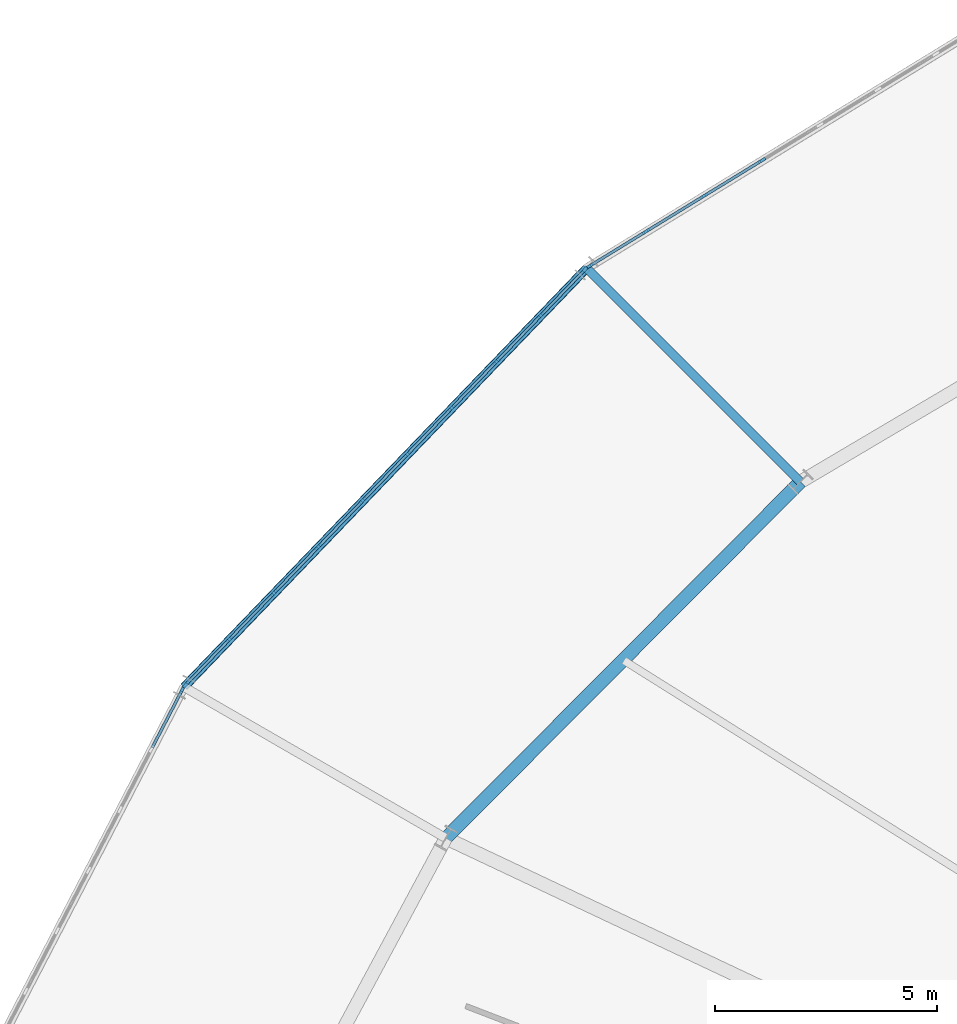
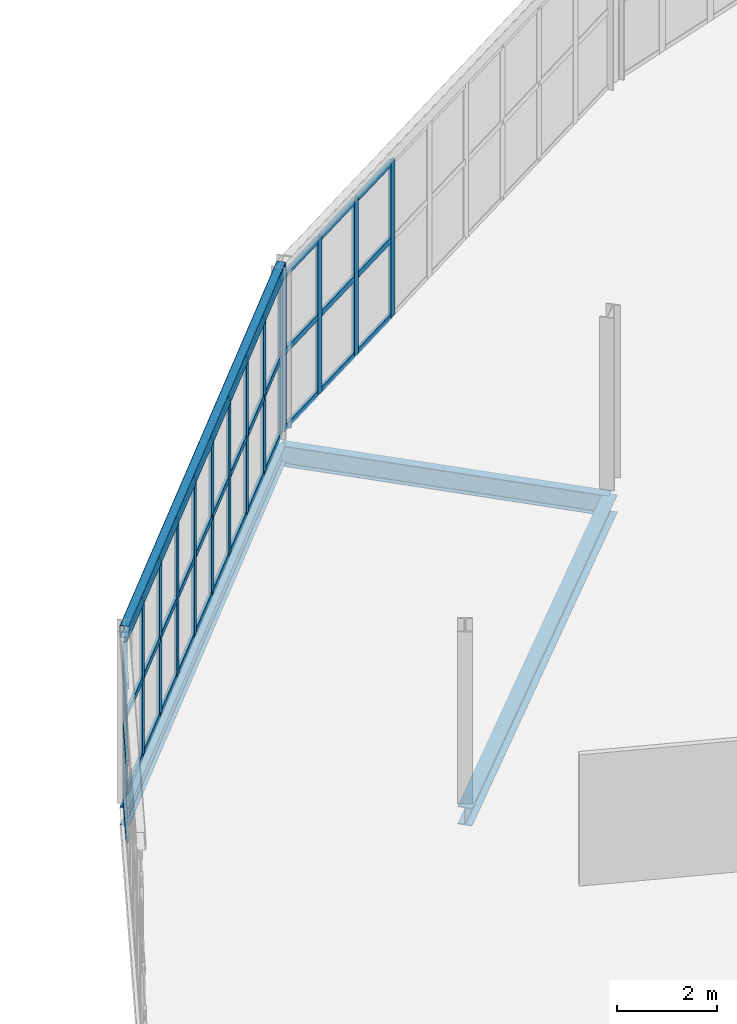
# One storey, part 59 of 161: 54 members, 4 beams, 3 elements without a shape of their own.
"""IFC4 building model written with IfcOpenShell, lengths in metres."""

from ifc_helpers import new_model, si_unit, direction, frame, origin, origin_2d, place, context, subcontext, project, spatial, rectangle, hollow_rectangle, i_section, extrude, material, material_profile, profile_set, type_object, element, aggregate, save


model = new_model("IFC4")

# Units and contexts
model_context = context("Model", 3, precision=1e-05, world=origin(), true_north=direction((0.0, 1.0)))
body_context = subcontext(model_context, "Body", "Model", "MODEL_VIEW")
ifc_project = project(units=[si_unit("LENGTHUNIT", "METRE"), si_unit("AREAUNIT", "SQUARE_METRE"), si_unit("VOLUMEUNIT", "CUBIC_METRE"), si_unit("PLANEANGLEUNIT", "RADIAN"), si_unit("MASSUNIT", "GRAM", prefix="KILO")], contexts=[model_context])

# Site, building, storey
site_placement = place(None, origin())
site = spatial("IfcSite", under=ifc_project, at=site_placement, CompositionType="ELEMENT")
building_placement = place(site_placement, origin())
building = spatial("IfcBuilding", under=site, at=building_placement, Name="Kildeholm Park Wholesale Market", CompositionType="ELEMENT")
storey_placement = place(building_placement, frame((0.0, 0.0, 5.39990234375)))
storey = spatial("IfcBuildingStorey", under=building, at=storey_placement, Name="L01", CompositionType="ELEMENT", Elevation=5.39990234375)

# Beams
ifc_material_1 = material(Name="Steel S355", Category="steel")
ifc_material_profile_1 = material_profile(ifc_material_1, i_section(OverallWidth=0.18994140625, OverallDepth=0.449951171875, WebThickness=0.009521484375, FlangeThickness=0.0146484375, FilletRadius=0.02099609375, at=origin_2d()), Name="IPE 450")
ifc_profile_set_1 = profile_set([ifc_material_profile_1], Name="Steel S355")
beam_type_1 = type_object("IfcBeamType", Name="Beam B-P02 IPE 450", PredefinedType="BEAM", material=ifc_profile_set_1)
beam_1_placement = place(storey_placement, frame((58.695068359375, 121.673095703125, -0.474853515625), z_axis=(-0.693006803532, -0.720931044039, 0.0), x_axis=(0.720931044039, -0.693006803532, 0.0)))
element("IfcBeam", 1, at=beam_1_placement, inside=storey, type_object=beam_type_1, Name="Beam BM-V1-L01-CO-09 BM-0086", PredefinedType="BEAM", context=body_context, shape_type="SweptSolid", body=[
    extrude(i_section(OverallWidth=0.18994140625, OverallDepth=0.449951171875, WebThickness=0.009521484375, FlangeThickness=0.0146484375, FilletRadius=0.02099609375, at=origin_2d()), origin(), (0.0, 0.0, 1.0), 13.07080078125),
])
ifc_material_profile_2 = material_profile(ifc_material_1, i_section(OverallWidth=0.199951171875, OverallDepth=0.5, WebThickness=0.01025390625, FlangeThickness=0.01611328125, FilletRadius=0.02099609375, at=origin_2d()), Name="IPE 500")
ifc_profile_set_2 = profile_set([ifc_material_profile_2], Name="Steel S355")
beam_type_2 = type_object("IfcBeamType", Name="Beam B-P03 IPE 500", PredefinedType="BEAM", material=ifc_profile_set_2)
beam_2_placement = place(storey_placement, frame((63.5029296875, 116.864990234375, -0.5), z_axis=(-0.707088828163, 0.707124733755, 0.0), x_axis=(-0.707124733755, -0.707088828163, 0.0)))
element("IfcBeam", 2, at=beam_2_placement, inside=storey, type_object=beam_type_2, Name="Beam BM-V1-L01-R2-09 BM-0083", PredefinedType="BEAM", context=body_context, shape_type="SweptSolid", body=[
    extrude(i_section(OverallWidth=0.199951171875, OverallDepth=0.5, WebThickness=0.01025390625, FlangeThickness=0.01611328125, FilletRadius=0.02099609375, at=origin_2d()), origin(), (0.0, 0.0, 1.0), 6.799560546875),
])
ifc_material_profile_3 = material_profile(ifc_material_1, i_section(OverallWidth=0.300048828125, OverallDepth=0.43994140625, WebThickness=0.011474609375, FlangeThickness=0.02099609375, FilletRadius=0.027099609375, at=origin_2d()), Name="HEA 450")
ifc_profile_set_3 = profile_set([ifc_material_profile_3], Name="Steel S355")
beam_type_3 = type_object("IfcBeamType", Name="Beam B-R02 HEA 450", PredefinedType="BEAM", material=ifc_profile_set_3)
beam_3_placement = place(storey_placement, frame((63.5029296875, 116.864990234375, -0.469970703125), z_axis=(-0.705431576708, -0.708778026313, 0.0), x_axis=(0.708778026313, -0.705431576708, 0.0)))
element("IfcBeam", 3, at=beam_3_placement, inside=storey, type_object=beam_type_3, Name="Beam BM-V1-L01-CM-09 BM-0085", PredefinedType="BEAM", context=body_context, shape_type="SweptSolid", body=[
    extrude(i_section(OverallWidth=0.300048828125, OverallDepth=0.43994140625, WebThickness=0.011474609375, FlangeThickness=0.02099609375, FilletRadius=0.027099609375, at=origin_2d()), origin(), (0.0, 0.0, 1.0), 11.30810546875),
])
ifc_material_profile_4 = material_profile(ifc_material_1, hollow_rectangle(XDim=0.199951171875, YDim=0.300048828125, WallThickness=0.012451171875, InnerFilletRadius=0.012451171875, OuterFilletRadius=0.02490234375, at=origin_2d()), Name="RHS 300x200x12.5")
ifc_profile_set_4 = profile_set([ifc_material_profile_4], Name="Steel S355")
beam_type_4 = type_object("IfcBeamType", Name="Beam SP-01 RHS 300x200x12.5", PredefinedType="SPANDREL", material=ifc_profile_set_4)
beam_4_placement = place(storey_placement, frame((58.695068359375, 121.673095703125, 4.022705078125), z_axis=(-0.693006803532, -0.720931044039, 0.0), x_axis=(0.720931044039, -0.693006803532, 0.0)))
element("IfcBeam", 4, at=beam_4_placement, inside=storey, type_object=beam_type_4, Name="Beam SP-V1-EAV-09 BM-0274", PredefinedType="SPANDREL", context=body_context, shape_type="SweptSolid", body=[
    extrude(hollow_rectangle(XDim=0.199951171875, YDim=0.300048828125, WallThickness=0.012451171875, InnerFilletRadius=0.012451171875, OuterFilletRadius=0.02490234375, at=origin_2d()), origin(), (0.0, 0.0, 1.0), 13.07080078125),
])

# Curtain wall, members
ifc_material_2 = material(Name="Anodised aluminium and low-E double-glazed glass", Category="aluminium")
curtain_wall_type = type_object("IfcCurtainWallType", Name="Market hall glazed arcade stick curtain wall CW-01", PredefinedType="NOTDEFINED", material=ifc_material_2)
curtain_wall_1_placement = place(storey_placement, origin())
curtain_wall_1 = element("IfcCurtainWall", 5, at=curtain_wall_1_placement, inside=storey, type_object=curtain_wall_type, Name="Curtain wall CW-V1-OT-08-1 CW-0039", PredefinedType="NOTDEFINED")
ifc_material_3 = material(Name="Anodised aluminium", Category="aluminium")
ifc_material_profile_5 = material_profile(ifc_material_3, rectangle(XDim=0.06494140625, YDim=0.179931640625, at=origin_2d()), Name="CWM 65x180")
ifc_profile_set_5 = profile_set([ifc_material_profile_5], Name="Anodised aluminium")
member_type_1 = type_object("IfcMemberType", Name="Curtain-wall mullion CWM-1 CWM 65x180", PredefinedType="MULLION", material=ifc_profile_set_5)
member_1_placement = place(storey_placement, frame((62.6376953125, 124.09423828125, 0.0), z_axis=(0.0, 0.0, 1.0), x_axis=(0.522284342695, -0.852771402766, 0.0)))
member_1 = element("IfcMember", 6, at=member_1_placement, type_object=member_type_1, Name="CW-01 mullion 7 MEM-1478", PredefinedType="MULLION", context=body_context, shape_type="SweptSolid", body=[
    extrude(rectangle(XDim=0.06494140625, YDim=0.179931640625, at=origin_2d()), origin(), (0.0, 0.0, 1.0), 3.800048828125),
])
member_2_placement = place(storey_placement, frame((61.33349609375, 123.295654296875, 0.0), z_axis=(0.0, 0.0, 1.0), x_axis=(0.522284342695, -0.852771402766, 0.0)))
member_2 = element("IfcMember", 7, at=member_2_placement, type_object=member_type_1, Name="CW-01 mullion 8 MEM-1479", PredefinedType="MULLION", context=body_context, shape_type="SweptSolid", body=[
    extrude(rectangle(XDim=0.06494140625, YDim=0.179931640625, at=origin_2d()), origin(), (0.0, 0.0, 1.0), 3.800048828125),
])
member_3_placement = place(storey_placement, frame((60.029296875, 122.496826171875, 0.0), z_axis=(0.0, 0.0, 1.0), x_axis=(0.522284342695, -0.852771402766, 0.0)))
member_3 = element("IfcMember", 8, at=member_3_placement, type_object=member_type_1, Name="CW-01 mullion 9 MEM-1480", PredefinedType="MULLION", context=body_context, shape_type="SweptSolid", body=[
    extrude(rectangle(XDim=0.06494140625, YDim=0.179931640625, at=origin_2d()), origin(), (0.0, 0.0, 1.0), 3.800048828125),
])
member_4_placement = place(storey_placement, frame((58.752685546875, 121.715087890625, 0.0), z_axis=(0.0, 0.0, 1.0), x_axis=(0.522284342695, -0.852771402766, 0.0)))
member_4 = element("IfcMember", 9, at=member_4_placement, type_object=member_type_1, Name="CW-01 mullion 10 MEM-1481", PredefinedType="MULLION", context=body_context, shape_type="SweptSolid", body=[
    extrude(rectangle(XDim=0.06494140625, YDim=0.179931640625, at=origin_2d()), origin(), (0.0, 0.0, 1.0), 3.800048828125),
])

curtain_wall_2_placement = place(storey_placement, origin())
curtain_wall_2 = element("IfcCurtainWall", 10, at=curtain_wall_2_placement, inside=storey, type_object=curtain_wall_type, Name="Curtain wall CW-V1-OT-09-1 CW-0044", PredefinedType="NOTDEFINED")
member_5_placement = place(storey_placement, frame((58.640380859375, 121.62451171875, 0.0), z_axis=(0.0, 0.0, 1.0), x_axis=(0.720901097951, -0.69303795493, 0.0)))
member_5 = element("IfcMember", 11, at=member_5_placement, type_object=member_type_1, Name="CW-01 mullion 1 MEM-1617", PredefinedType="MULLION", context=body_context, shape_type="SweptSolid", body=[
    extrude(rectangle(XDim=0.06494140625, YDim=0.179931640625, at=origin_2d()), origin(), (0.0, 0.0, 1.0), 3.800048828125),
])
member_6_placement = place(storey_placement, frame((57.66259765625, 120.607421875, 0.0), z_axis=(0.0, 0.0, 1.0), x_axis=(0.720901097951, -0.69303795493, 0.0)))
member_6 = element("IfcMember", 12, at=member_6_placement, type_object=member_type_1, Name="CW-01 mullion 2 MEM-1618", PredefinedType="MULLION", context=body_context, shape_type="SweptSolid", body=[
    extrude(rectangle(XDim=0.06494140625, YDim=0.179931640625, at=origin_2d()), origin(), (0.0, 0.0, 1.0), 3.800048828125),
])
member_7_placement = place(storey_placement, frame((56.662109375, 119.566650390625, 0.0), z_axis=(0.0, 0.0, 1.0), x_axis=(0.720901097951, -0.69303795493, 0.0)))
member_7 = element("IfcMember", 13, at=member_7_placement, type_object=member_type_1, Name="CW-01 mullion 3 MEM-1619", PredefinedType="MULLION", context=body_context, shape_type="SweptSolid", body=[
    extrude(rectangle(XDim=0.06494140625, YDim=0.179931640625, at=origin_2d()), origin(), (0.0, 0.0, 1.0), 3.800048828125),
])
member_8_placement = place(storey_placement, frame((55.66162109375, 118.52587890625, 0.0), z_axis=(0.0, 0.0, 1.0), x_axis=(0.720901097951, -0.69303795493, 0.0)))
member_8 = element("IfcMember", 14, at=member_8_placement, type_object=member_type_1, Name="CW-01 mullion 4 MEM-1620", PredefinedType="MULLION", context=body_context, shape_type="SweptSolid", body=[
    extrude(rectangle(XDim=0.06494140625, YDim=0.179931640625, at=origin_2d()), origin(), (0.0, 0.0, 1.0), 3.800048828125),
])
member_9_placement = place(storey_placement, frame((54.6611328125, 117.4853515625, 0.0), z_axis=(0.0, 0.0, 1.0), x_axis=(0.720901097951, -0.69303795493, 0.0)))
member_9 = element("IfcMember", 15, at=member_9_placement, type_object=member_type_1, Name="CW-01 mullion 5 MEM-1621", PredefinedType="MULLION", context=body_context, shape_type="SweptSolid", body=[
    extrude(rectangle(XDim=0.06494140625, YDim=0.179931640625, at=origin_2d()), origin(), (0.0, 0.0, 1.0), 3.800048828125),
])
member_10_placement = place(storey_placement, frame((53.660888671875, 116.444580078125, 0.0), z_axis=(0.0, 0.0, 1.0), x_axis=(0.720901097951, -0.69303795493, 0.0)))
member_10 = element("IfcMember", 16, at=member_10_placement, type_object=member_type_1, Name="CW-01 mullion 6 MEM-1622", PredefinedType="MULLION", context=body_context, shape_type="SweptSolid", body=[
    extrude(rectangle(XDim=0.06494140625, YDim=0.179931640625, at=origin_2d()), origin(), (0.0, 0.0, 1.0), 3.800048828125),
])
member_11_placement = place(storey_placement, frame((52.660400390625, 115.404052734375, 0.0), z_axis=(0.0, 0.0, 1.0), x_axis=(0.720901097951, -0.69303795493, 0.0)))
member_11 = element("IfcMember", 17, at=member_11_placement, type_object=member_type_1, Name="CW-01 mullion 7 MEM-1623", PredefinedType="MULLION", context=body_context, shape_type="SweptSolid", body=[
    extrude(rectangle(XDim=0.06494140625, YDim=0.179931640625, at=origin_2d()), origin(), (0.0, 0.0, 1.0), 3.800048828125),
])
member_12_placement = place(storey_placement, frame((51.659912109375, 114.36328125, 0.0), z_axis=(0.0, 0.0, 1.0), x_axis=(0.720901097951, -0.69303795493, 0.0)))
member_12 = element("IfcMember", 18, at=member_12_placement, type_object=member_type_1, Name="CW-01 mullion 8 MEM-1624", PredefinedType="MULLION", context=body_context, shape_type="SweptSolid", body=[
    extrude(rectangle(XDim=0.06494140625, YDim=0.179931640625, at=origin_2d()), origin(), (0.0, 0.0, 1.0), 3.800048828125),
])
member_13_placement = place(storey_placement, frame((50.659423828125, 113.32275390625, 0.0), z_axis=(0.0, 0.0, 1.0), x_axis=(0.720901097951, -0.69303795493, 0.0)))
member_13 = element("IfcMember", 19, at=member_13_placement, type_object=member_type_1, Name="CW-01 mullion 9 MEM-1625", PredefinedType="MULLION", context=body_context, shape_type="SweptSolid", body=[
    extrude(rectangle(XDim=0.06494140625, YDim=0.179931640625, at=origin_2d()), origin(), (0.0, 0.0, 1.0), 3.800048828125),
])
member_14_placement = place(storey_placement, frame((49.681640625, 112.305419921875, 0.0), z_axis=(0.0, 0.0, 1.0), x_axis=(0.720901097951, -0.69303795493, 0.0)))
member_14 = element("IfcMember", 20, at=member_14_placement, type_object=member_type_1, Name="CW-01 mullion 10 MEM-1626", PredefinedType="MULLION", context=body_context, shape_type="SweptSolid", body=[
    extrude(rectangle(XDim=0.06494140625, YDim=0.179931640625, at=origin_2d()), origin(), (0.0, 0.0, 1.0), 3.800048828125),
])

# Curtain wall, member
curtain_wall_3_placement = place(storey_placement, origin())
curtain_wall_3 = element("IfcCurtainWall", 21, at=curtain_wall_3_placement, inside=storey, type_object=curtain_wall_type, Name="Curtain wall CW-V1-OT-10-1 CW-0049", PredefinedType="NOTDEFINED")
member_15_placement = place(storey_placement, frame((49.596923828125, 112.188232421875, 0.0), z_axis=(0.0, 0.0, 1.0), x_axis=(0.88765224586, -0.460514375909, 0.0)))
member_15 = element("IfcMember", 22, at=member_15_placement, type_object=member_type_1, Name="CW-01 mullion 1 MEM-1746", PredefinedType="MULLION", context=body_context, shape_type="SweptSolid", body=[
    extrude(rectangle(XDim=0.06494140625, YDim=0.179931640625, at=origin_2d()), origin(), (0.0, 0.0, 1.0), 3.800048828125),
])

# Member
ifc_material_profile_6 = material_profile(ifc_material_3, rectangle(XDim=0.06494140625, YDim=0.139892578125, at=origin_2d()), Name="CWT 65x140")
ifc_profile_set_6 = profile_set([ifc_material_profile_6], Name="Anodised aluminium")
member_type_2 = type_object("IfcMemberType", Name="Curtain-wall transom CWT-1 CWT 65x140", PredefinedType="USERDEFINED", material=ifc_profile_set_6)
member_16_placement = place(storey_placement, frame((62.60986328125, 124.077392578125, 0.03271484375), z_axis=(-0.852749773826, -0.522319656187, 0.0), x_axis=(0.522319656187, -0.852749773826, 0.0)))
member_16 = element("IfcMember", 23, at=member_16_placement, type_object=member_type_2, Name="CW-01 transom 7.1 MEM-1500", ObjectType="TRANSOM", PredefinedType="USERDEFINED", context=body_context, shape_type="SweptSolid", body=[
    extrude(rectangle(XDim=0.06494140625, YDim=0.139892578125, at=origin_2d()), origin(), (0.0, 0.0, 1.0), 1.46435546875),
])

member_17_placement = place(storey_placement, frame((62.60986328125, 124.077392578125, 1.900146484375), z_axis=(-0.852749773826, -0.522319656187, 0.0), x_axis=(0.522319656187, -0.852749773826, 0.0)))
member_17 = element("IfcMember", 24, at=member_17_placement, type_object=member_type_2, Name="CW-01 transom 7.2 MEM-1501", ObjectType="TRANSOM", PredefinedType="USERDEFINED", context=body_context, shape_type="SweptSolid", body=[
    extrude(rectangle(XDim=0.06494140625, YDim=0.139892578125, at=origin_2d()), origin(), (0.0, 0.0, 1.0), 1.46435546875),
])

member_18_placement = place(storey_placement, frame((62.60986328125, 124.077392578125, 3.767578125), z_axis=(-0.852749773826, -0.522319656187, 0.0), x_axis=(0.522319656187, -0.852749773826, 0.0)))
member_18 = element("IfcMember", 25, at=member_18_placement, type_object=member_type_2, Name="CW-01 transom 7.3 MEM-1502", ObjectType="TRANSOM", PredefinedType="USERDEFINED", context=body_context, shape_type="SweptSolid", body=[
    extrude(rectangle(XDim=0.06494140625, YDim=0.139892578125, at=origin_2d()), origin(), (0.0, 0.0, 1.0), 1.46435546875),
])

member_19_placement = place(storey_placement, frame((61.3056640625, 123.278564453125, 0.03271484375), z_axis=(-0.852749773826, -0.522319656187, 0.0), x_axis=(0.522319656187, -0.852749773826, 0.0)))
member_19 = element("IfcMember", 26, at=member_19_placement, type_object=member_type_2, Name="CW-01 transom 8.1 MEM-1503", ObjectType="TRANSOM", PredefinedType="USERDEFINED", context=body_context, shape_type="SweptSolid", body=[
    extrude(rectangle(XDim=0.06494140625, YDim=0.139892578125, at=origin_2d()), origin(), (0.0, 0.0, 1.0), 1.46435546875),
])

member_20_placement = place(storey_placement, frame((61.3056640625, 123.278564453125, 1.900146484375), z_axis=(-0.852749773826, -0.522319656187, 0.0), x_axis=(0.522319656187, -0.852749773826, 0.0)))
member_20 = element("IfcMember", 27, at=member_20_placement, type_object=member_type_2, Name="CW-01 transom 8.2 MEM-1504", ObjectType="TRANSOM", PredefinedType="USERDEFINED", context=body_context, shape_type="SweptSolid", body=[
    extrude(rectangle(XDim=0.06494140625, YDim=0.139892578125, at=origin_2d()), origin(), (0.0, 0.0, 1.0), 1.46435546875),
])

member_21_placement = place(storey_placement, frame((61.3056640625, 123.278564453125, 3.767578125), z_axis=(-0.852749773826, -0.522319656187, 0.0), x_axis=(0.522319656187, -0.852749773826, 0.0)))
member_21 = element("IfcMember", 28, at=member_21_placement, type_object=member_type_2, Name="CW-01 transom 8.3 MEM-1505", ObjectType="TRANSOM", PredefinedType="USERDEFINED", context=body_context, shape_type="SweptSolid", body=[
    extrude(rectangle(XDim=0.06494140625, YDim=0.139892578125, at=origin_2d()), origin(), (0.0, 0.0, 1.0), 1.46435546875),
])

member_22_placement = place(storey_placement, frame((60.00146484375, 122.479736328125, 0.03271484375), z_axis=(-0.85276295906, -0.522298129094, 0.0), x_axis=(0.522298129094, -0.85276295906, 0.0)))
member_22 = element("IfcMember", 29, at=member_22_placement, type_object=member_type_2, Name="CW-01 transom 9.1 MEM-1506", ObjectType="TRANSOM", PredefinedType="USERDEFINED", context=body_context, shape_type="SweptSolid", body=[
    extrude(rectangle(XDim=0.06494140625, YDim=0.139892578125, at=origin_2d()), origin(), (0.0, 0.0, 1.0), 1.431640625),
])

member_23_placement = place(storey_placement, frame((60.00146484375, 122.479736328125, 1.900146484375), z_axis=(-0.85276295906, -0.522298129094, 0.0), x_axis=(0.522298129094, -0.85276295906, 0.0)))
member_23 = element("IfcMember", 30, at=member_23_placement, type_object=member_type_2, Name="CW-01 transom 9.2 MEM-1507", ObjectType="TRANSOM", PredefinedType="USERDEFINED", context=body_context, shape_type="SweptSolid", body=[
    extrude(rectangle(XDim=0.06494140625, YDim=0.139892578125, at=origin_2d()), origin(), (0.0, 0.0, 1.0), 1.431640625),
])

member_24_placement = place(storey_placement, frame((60.00146484375, 122.479736328125, 3.767578125), z_axis=(-0.85276295906, -0.522298129094, 0.0), x_axis=(0.522298129094, -0.85276295906, 0.0)))
member_24 = element("IfcMember", 31, at=member_24_placement, type_object=member_type_2, Name="CW-01 transom 9.3 MEM-1508", ObjectType="TRANSOM", PredefinedType="USERDEFINED", context=body_context, shape_type="SweptSolid", body=[
    extrude(rectangle(XDim=0.06494140625, YDim=0.139892578125, at=origin_2d()), origin(), (0.0, 0.0, 1.0), 1.431640625),
])

aggregate(curtain_wall_1, [member_1, member_2, member_3, member_4, member_16, member_17, member_18, member_19, member_20, member_21, member_22, member_23, member_24])

member_25_placement = place(storey_placement, frame((58.617919921875, 121.60107421875, 0.03271484375), z_axis=(-0.693094216002, -0.720847007169, 0.0), x_axis=(0.720847007169, -0.693094216002, 0.0)))
member_25 = element("IfcMember", 32, at=member_25_placement, type_object=member_type_2, Name="CW-01 transom 1.1 MEM-1627", ObjectType="TRANSOM", PredefinedType="USERDEFINED", context=body_context, shape_type="SweptSolid", body=[
    extrude(rectangle(XDim=0.06494140625, YDim=0.139892578125, at=origin_2d()), origin(), (0.0, 0.0, 1.0), 1.345947265625),
])

member_26_placement = place(storey_placement, frame((58.617919921875, 121.60107421875, 1.900146484375), z_axis=(-0.693094216002, -0.720847007169, 0.0), x_axis=(0.720847007169, -0.693094216002, 0.0)))
member_26 = element("IfcMember", 33, at=member_26_placement, type_object=member_type_2, Name="CW-01 transom 1.2 MEM-1628", ObjectType="TRANSOM", PredefinedType="USERDEFINED", context=body_context, shape_type="SweptSolid", body=[
    extrude(rectangle(XDim=0.06494140625, YDim=0.139892578125, at=origin_2d()), origin(), (0.0, 0.0, 1.0), 1.345947265625),
])

member_27_placement = place(storey_placement, frame((58.617919921875, 121.60107421875, 3.767578125), z_axis=(-0.693094216002, -0.720847007169, 0.0), x_axis=(0.720847007169, -0.693094216002, 0.0)))
member_27 = element("IfcMember", 34, at=member_27_placement, type_object=member_type_2, Name="CW-01 transom 1.3 MEM-1629", ObjectType="TRANSOM", PredefinedType="USERDEFINED", context=body_context, shape_type="SweptSolid", body=[
    extrude(rectangle(XDim=0.06494140625, YDim=0.139892578125, at=origin_2d()), origin(), (0.0, 0.0, 1.0), 1.345947265625),
])

member_28_placement = place(storey_placement, frame((57.64013671875, 120.583984375, 0.03271484375), z_axis=(-0.693069788784, -0.720870493137, 0.0), x_axis=(0.720870493137, -0.693069788784, 0.0)))
member_28 = element("IfcMember", 35, at=member_28_placement, type_object=member_type_2, Name="CW-01 transom 2.1 MEM-1630", ObjectType="TRANSOM", PredefinedType="USERDEFINED", context=body_context, shape_type="SweptSolid", body=[
    extrude(rectangle(XDim=0.06494140625, YDim=0.139892578125, at=origin_2d()), origin(), (0.0, 0.0, 1.0), 1.378662109375),
])

member_29_placement = place(storey_placement, frame((57.64013671875, 120.583984375, 1.900146484375), z_axis=(-0.693069788784, -0.720870493137, 0.0), x_axis=(0.720870493137, -0.693069788784, 0.0)))
member_29 = element("IfcMember", 36, at=member_29_placement, type_object=member_type_2, Name="CW-01 transom 2.2 MEM-1631", ObjectType="TRANSOM", PredefinedType="USERDEFINED", context=body_context, shape_type="SweptSolid", body=[
    extrude(rectangle(XDim=0.06494140625, YDim=0.139892578125, at=origin_2d()), origin(), (0.0, 0.0, 1.0), 1.378662109375),
])

member_30_placement = place(storey_placement, frame((57.64013671875, 120.583984375, 3.767578125), z_axis=(-0.693069788784, -0.720870493137, 0.0), x_axis=(0.720870493137, -0.693069788784, 0.0)))
member_30 = element("IfcMember", 37, at=member_30_placement, type_object=member_type_2, Name="CW-01 transom 2.3 MEM-1632", ObjectType="TRANSOM", PredefinedType="USERDEFINED", context=body_context, shape_type="SweptSolid", body=[
    extrude(rectangle(XDim=0.06494140625, YDim=0.139892578125, at=origin_2d()), origin(), (0.0, 0.0, 1.0), 1.378662109375),
])

member_31_placement = place(storey_placement, frame((56.6396484375, 119.543212890625, 0.03271484375), z_axis=(-0.693069788784, -0.720870493137, 0.0), x_axis=(0.720870493137, -0.693069788784, 0.0)))
member_31 = element("IfcMember", 38, at=member_31_placement, type_object=member_type_2, Name="CW-01 transom 3.1 MEM-1633", ObjectType="TRANSOM", PredefinedType="USERDEFINED", context=body_context, shape_type="SweptSolid", body=[
    extrude(rectangle(XDim=0.06494140625, YDim=0.139892578125, at=origin_2d()), origin(), (0.0, 0.0, 1.0), 1.378662109375),
])

member_32_placement = place(storey_placement, frame((56.6396484375, 119.543212890625, 1.900146484375), z_axis=(-0.693069788784, -0.720870493137, 0.0), x_axis=(0.720870493137, -0.693069788784, 0.0)))
member_32 = element("IfcMember", 39, at=member_32_placement, type_object=member_type_2, Name="CW-01 transom 3.2 MEM-1634", ObjectType="TRANSOM", PredefinedType="USERDEFINED", context=body_context, shape_type="SweptSolid", body=[
    extrude(rectangle(XDim=0.06494140625, YDim=0.139892578125, at=origin_2d()), origin(), (0.0, 0.0, 1.0), 1.378662109375),
])

member_33_placement = place(storey_placement, frame((56.6396484375, 119.543212890625, 3.767578125), z_axis=(-0.693069788784, -0.720870493137, 0.0), x_axis=(0.720870493137, -0.693069788784, 0.0)))
member_33 = element("IfcMember", 40, at=member_33_placement, type_object=member_type_2, Name="CW-01 transom 3.3 MEM-1635", ObjectType="TRANSOM", PredefinedType="USERDEFINED", context=body_context, shape_type="SweptSolid", body=[
    extrude(rectangle(XDim=0.06494140625, YDim=0.139892578125, at=origin_2d()), origin(), (0.0, 0.0, 1.0), 1.378662109375),
])

member_34_placement = place(storey_placement, frame((55.63916015625, 118.502685546875, 0.03271484375), z_axis=(-0.692977754297, -0.720958966967, 0.0), x_axis=(0.720958966967, -0.692977754297, 0.0)))
member_34 = element("IfcMember", 41, at=member_34_placement, type_object=member_type_2, Name="CW-01 transom 4.1 MEM-1636", ObjectType="TRANSOM", PredefinedType="USERDEFINED", context=body_context, shape_type="SweptSolid", body=[
    extrude(rectangle(XDim=0.06494140625, YDim=0.139892578125, at=origin_2d()), origin(), (0.0, 0.0, 1.0), 1.378662109375),
])

member_35_placement = place(storey_placement, frame((55.63916015625, 118.502685546875, 1.900146484375), z_axis=(-0.692977754297, -0.720958966967, 0.0), x_axis=(0.720958966967, -0.692977754297, 0.0)))
member_35 = element("IfcMember", 42, at=member_35_placement, type_object=member_type_2, Name="CW-01 transom 4.2 MEM-1637", ObjectType="TRANSOM", PredefinedType="USERDEFINED", context=body_context, shape_type="SweptSolid", body=[
    extrude(rectangle(XDim=0.06494140625, YDim=0.139892578125, at=origin_2d()), origin(), (0.0, 0.0, 1.0), 1.378662109375),
])

member_36_placement = place(storey_placement, frame((55.63916015625, 118.502685546875, 3.767578125), z_axis=(-0.692977754297, -0.720958966967, 0.0), x_axis=(0.720958966967, -0.692977754297, 0.0)))
member_36 = element("IfcMember", 43, at=member_36_placement, type_object=member_type_2, Name="CW-01 transom 4.3 MEM-1638", ObjectType="TRANSOM", PredefinedType="USERDEFINED", context=body_context, shape_type="SweptSolid", body=[
    extrude(rectangle(XDim=0.06494140625, YDim=0.139892578125, at=origin_2d()), origin(), (0.0, 0.0, 1.0), 1.378662109375),
])

member_37_placement = place(storey_placement, frame((54.638671875, 117.4619140625, 0.03271484375), z_axis=(-0.692977754297, -0.720958966967, 0.0), x_axis=(0.720958966967, -0.692977754297, 0.0)))
member_37 = element("IfcMember", 44, at=member_37_placement, type_object=member_type_2, Name="CW-01 transom 5.1 MEM-1639", ObjectType="TRANSOM", PredefinedType="USERDEFINED", context=body_context, shape_type="SweptSolid", body=[
    extrude(rectangle(XDim=0.06494140625, YDim=0.139892578125, at=origin_2d()), origin(), (0.0, 0.0, 1.0), 1.378662109375),
])

member_38_placement = place(storey_placement, frame((54.638671875, 117.4619140625, 1.900146484375), z_axis=(-0.692977754297, -0.720958966967, 0.0), x_axis=(0.720958966967, -0.692977754297, 0.0)))
member_38 = element("IfcMember", 45, at=member_38_placement, type_object=member_type_2, Name="CW-01 transom 5.2 MEM-1640", ObjectType="TRANSOM", PredefinedType="USERDEFINED", context=body_context, shape_type="SweptSolid", body=[
    extrude(rectangle(XDim=0.06494140625, YDim=0.139892578125, at=origin_2d()), origin(), (0.0, 0.0, 1.0), 1.378662109375),
])

member_39_placement = place(storey_placement, frame((54.638671875, 117.4619140625, 3.767578125), z_axis=(-0.692977754297, -0.720958966967, 0.0), x_axis=(0.720958966967, -0.692977754297, 0.0)))
member_39 = element("IfcMember", 46, at=member_39_placement, type_object=member_type_2, Name="CW-01 transom 5.3 MEM-1641", ObjectType="TRANSOM", PredefinedType="USERDEFINED", context=body_context, shape_type="SweptSolid", body=[
    extrude(rectangle(XDim=0.06494140625, YDim=0.139892578125, at=origin_2d()), origin(), (0.0, 0.0, 1.0), 1.378662109375),
])

member_40_placement = place(storey_placement, frame((53.63818359375, 116.421142578125, 0.03271484375), z_axis=(-0.693066239187, -0.720873905825, 0.0), x_axis=(0.720873905825, -0.693066239187, 0.0)))
member_40 = element("IfcMember", 47, at=member_40_placement, type_object=member_type_2, Name="CW-01 transom 6.1 MEM-1642", ObjectType="TRANSOM", PredefinedType="USERDEFINED", context=body_context, shape_type="SweptSolid", body=[
    extrude(rectangle(XDim=0.06494140625, YDim=0.139892578125, at=origin_2d()), origin(), (0.0, 0.0, 1.0), 1.37841796875),
])

member_41_placement = place(storey_placement, frame((53.63818359375, 116.421142578125, 1.900146484375), z_axis=(-0.693066239187, -0.720873905825, 0.0), x_axis=(0.720873905825, -0.693066239187, 0.0)))
member_41 = element("IfcMember", 48, at=member_41_placement, type_object=member_type_2, Name="CW-01 transom 6.2 MEM-1643", ObjectType="TRANSOM", PredefinedType="USERDEFINED", context=body_context, shape_type="SweptSolid", body=[
    extrude(rectangle(XDim=0.06494140625, YDim=0.139892578125, at=origin_2d()), origin(), (0.0, 0.0, 1.0), 1.37841796875),
])

member_42_placement = place(storey_placement, frame((53.63818359375, 116.421142578125, 3.767578125), z_axis=(-0.693066239187, -0.720873905825, 0.0), x_axis=(0.720873905825, -0.693066239187, 0.0)))
member_42 = element("IfcMember", 49, at=member_42_placement, type_object=member_type_2, Name="CW-01 transom 6.3 MEM-1644", ObjectType="TRANSOM", PredefinedType="USERDEFINED", context=body_context, shape_type="SweptSolid", body=[
    extrude(rectangle(XDim=0.06494140625, YDim=0.139892578125, at=origin_2d()), origin(), (0.0, 0.0, 1.0), 1.37841796875),
])

member_43_placement = place(storey_placement, frame((52.6376953125, 115.380615234375, 0.03271484375), z_axis=(-0.692977754297, -0.720958966967, 0.0), x_axis=(0.720958966967, -0.692977754297, 0.0)))
member_43 = element("IfcMember", 50, at=member_43_placement, type_object=member_type_2, Name="CW-01 transom 7.1 MEM-1645", ObjectType="TRANSOM", PredefinedType="USERDEFINED", context=body_context, shape_type="SweptSolid", body=[
    extrude(rectangle(XDim=0.06494140625, YDim=0.139892578125, at=origin_2d()), origin(), (0.0, 0.0, 1.0), 1.378662109375),
])

member_44_placement = place(storey_placement, frame((52.6376953125, 115.380615234375, 1.900146484375), z_axis=(-0.692977754297, -0.720958966967, 0.0), x_axis=(0.720958966967, -0.692977754297, 0.0)))
member_44 = element("IfcMember", 51, at=member_44_placement, type_object=member_type_2, Name="CW-01 transom 7.2 MEM-1646", ObjectType="TRANSOM", PredefinedType="USERDEFINED", context=body_context, shape_type="SweptSolid", body=[
    extrude(rectangle(XDim=0.06494140625, YDim=0.139892578125, at=origin_2d()), origin(), (0.0, 0.0, 1.0), 1.378662109375),
])

member_45_placement = place(storey_placement, frame((52.6376953125, 115.380615234375, 3.767578125), z_axis=(-0.692977754297, -0.720958966967, 0.0), x_axis=(0.720958966967, -0.692977754297, 0.0)))
member_45 = element("IfcMember", 52, at=member_45_placement, type_object=member_type_2, Name="CW-01 transom 7.3 MEM-1647", ObjectType="TRANSOM", PredefinedType="USERDEFINED", context=body_context, shape_type="SweptSolid", body=[
    extrude(rectangle(XDim=0.06494140625, YDim=0.139892578125, at=origin_2d()), origin(), (0.0, 0.0, 1.0), 1.378662109375),
])

member_46_placement = place(storey_placement, frame((51.637451171875, 114.33984375, 0.03271484375), z_axis=(-0.693158263703, -0.720785419844, 0.0), x_axis=(0.720785419844, -0.693158263703, 0.0)))
member_46 = element("IfcMember", 53, at=member_46_placement, type_object=member_type_2, Name="CW-01 transom 8.1 MEM-1648", ObjectType="TRANSOM", PredefinedType="USERDEFINED", context=body_context, shape_type="SweptSolid", body=[
    extrude(rectangle(XDim=0.06494140625, YDim=0.139892578125, at=origin_2d()), origin(), (0.0, 0.0, 1.0), 1.378662109375),
])

member_47_placement = place(storey_placement, frame((51.637451171875, 114.33984375, 1.900146484375), z_axis=(-0.693158263703, -0.720785419844, 0.0), x_axis=(0.720785419844, -0.693158263703, 0.0)))
member_47 = element("IfcMember", 54, at=member_47_placement, type_object=member_type_2, Name="CW-01 transom 8.2 MEM-1649", ObjectType="TRANSOM", PredefinedType="USERDEFINED", context=body_context, shape_type="SweptSolid", body=[
    extrude(rectangle(XDim=0.06494140625, YDim=0.139892578125, at=origin_2d()), origin(), (0.0, 0.0, 1.0), 1.378662109375),
])

member_48_placement = place(storey_placement, frame((51.637451171875, 114.33984375, 3.767578125), z_axis=(-0.693158263703, -0.720785419844, 0.0), x_axis=(0.720785419844, -0.693158263703, 0.0)))
member_48 = element("IfcMember", 55, at=member_48_placement, type_object=member_type_2, Name="CW-01 transom 8.3 MEM-1650", ObjectType="TRANSOM", PredefinedType="USERDEFINED", context=body_context, shape_type="SweptSolid", body=[
    extrude(rectangle(XDim=0.06494140625, YDim=0.139892578125, at=origin_2d()), origin(), (0.0, 0.0, 1.0), 1.378662109375),
])

member_49_placement = place(storey_placement, frame((50.636962890625, 113.29931640625, 0.03271484375), z_axis=(-0.693003596834, -0.720934126516, 0.0), x_axis=(0.720934126516, -0.693003596834, 0.0)))
member_49 = element("IfcMember", 56, at=member_49_placement, type_object=member_type_2, Name="CW-01 transom 9.1 MEM-1651", ObjectType="TRANSOM", PredefinedType="USERDEFINED", context=body_context, shape_type="SweptSolid", body=[
    extrude(rectangle(XDim=0.06494140625, YDim=0.139892578125, at=origin_2d()), origin(), (0.0, 0.0, 1.0), 1.34619140625),
])

member_50_placement = place(storey_placement, frame((50.636962890625, 113.29931640625, 1.900146484375), z_axis=(-0.693003596834, -0.720934126516, 0.0), x_axis=(0.720934126516, -0.693003596834, 0.0)))
member_50 = element("IfcMember", 57, at=member_50_placement, type_object=member_type_2, Name="CW-01 transom 9.2 MEM-1652", ObjectType="TRANSOM", PredefinedType="USERDEFINED", context=body_context, shape_type="SweptSolid", body=[
    extrude(rectangle(XDim=0.06494140625, YDim=0.139892578125, at=origin_2d()), origin(), (0.0, 0.0, 1.0), 1.34619140625),
])

member_51_placement = place(storey_placement, frame((50.636962890625, 113.29931640625, 3.767578125), z_axis=(-0.693003596834, -0.720934126516, 0.0), x_axis=(0.720934126516, -0.693003596834, 0.0)))
member_51 = element("IfcMember", 58, at=member_51_placement, type_object=member_type_2, Name="CW-01 transom 9.3 MEM-1653", ObjectType="TRANSOM", PredefinedType="USERDEFINED", context=body_context, shape_type="SweptSolid", body=[
    extrude(rectangle(XDim=0.06494140625, YDim=0.139892578125, at=origin_2d()), origin(), (0.0, 0.0, 1.0), 1.34619140625),
])

aggregate(curtain_wall_2, [member_5, member_6, member_7, member_8, member_9, member_10, member_11, member_12, member_13, member_14, member_25, member_26, member_27, member_28, member_29, member_30, member_31, member_32, member_33, member_34, member_35, member_36, member_37, member_38, member_39, member_40, member_41, member_42, member_43, member_44, member_45, member_46, member_47, member_48, member_49, member_50, member_51])

member_52_placement = place(storey_placement, frame((49.58203125, 112.159423828125, 0.03271484375), z_axis=(-0.460406358293, -0.887708277107, 0.0), x_axis=(0.887708277107, -0.460406358293, 0.0)))
member_52 = element("IfcMember", 59, at=member_52_placement, type_object=member_type_2, Name="CW-01 transom 1.1 MEM-1755", ObjectType="TRANSOM", PredefinedType="USERDEFINED", context=body_context, shape_type="SweptSolid", body=[
    extrude(rectangle(XDim=0.06494140625, YDim=0.139892578125, at=origin_2d()), origin(), (0.0, 0.0, 1.0), 1.43798828125),
])

member_53_placement = place(storey_placement, frame((49.58203125, 112.159423828125, 1.900146484375), z_axis=(-0.460406358293, -0.887708277107, 0.0), x_axis=(0.887708277107, -0.460406358293, 0.0)))
member_53 = element("IfcMember", 60, at=member_53_placement, type_object=member_type_2, Name="CW-01 transom 1.2 MEM-1756", ObjectType="TRANSOM", PredefinedType="USERDEFINED", context=body_context, shape_type="SweptSolid", body=[
    extrude(rectangle(XDim=0.06494140625, YDim=0.139892578125, at=origin_2d()), origin(), (0.0, 0.0, 1.0), 1.43798828125),
])

member_54_placement = place(storey_placement, frame((49.58203125, 112.159423828125, 3.767578125), z_axis=(-0.460406358293, -0.887708277107, 0.0), x_axis=(0.887708277107, -0.460406358293, 0.0)))
member_54 = element("IfcMember", 61, at=member_54_placement, type_object=member_type_2, Name="CW-01 transom 1.3 MEM-1757", ObjectType="TRANSOM", PredefinedType="USERDEFINED", context=body_context, shape_type="SweptSolid", body=[
    extrude(rectangle(XDim=0.06494140625, YDim=0.139892578125, at=origin_2d()), origin(), (0.0, 0.0, 1.0), 1.43798828125),
])

aggregate(curtain_wall_3, [member_15, member_52, member_53, member_54])

save(model, "model.ifc")
